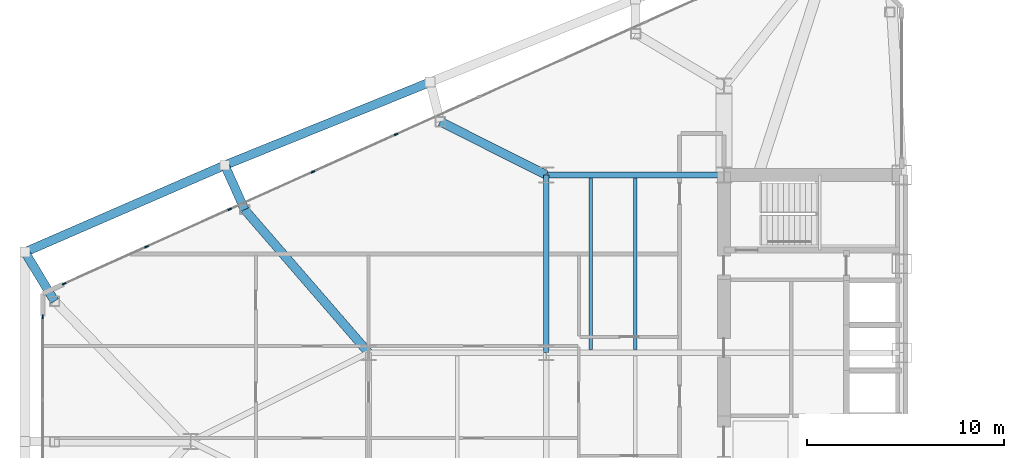
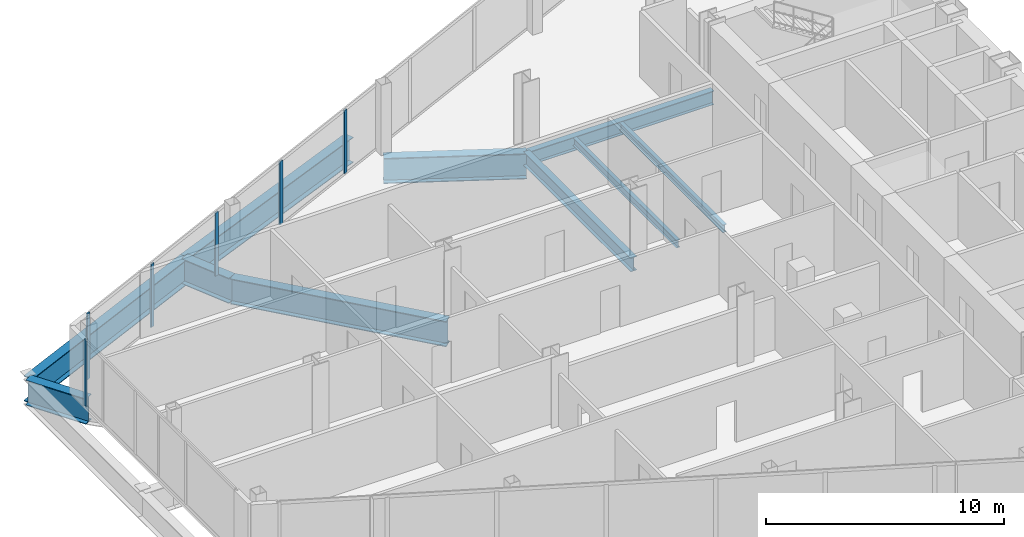
# One storey, part 8 of 29: 10 beams, 6 members, 2 elements without a shape of their own.
"""IFC4 building model written with IfcOpenShell, lengths in metres."""

from ifc_helpers import new_model, si_unit, direction, frame, origin, origin_2d, place, context, subcontext, project, spatial, rectangle, i_section, extrude, source, transform, mapped, material, layer, layer_set, material_profile, profile_set, type_object, type_shapes, element, aggregate, save


model = new_model("IFC4")

# Units and contexts
model_context = context("Model", 3, precision=1e-05, world=origin(), true_north=direction((0.0, 1.0)))
body_context = subcontext(model_context, "Body", "Model", "MODEL_VIEW")
ifc_project = project(units=[si_unit("LENGTHUNIT", "METRE"), si_unit("AREAUNIT", "SQUARE_METRE"), si_unit("VOLUMEUNIT", "CUBIC_METRE"), si_unit("PLANEANGLEUNIT", "RADIAN"), si_unit("MASSUNIT", "GRAM", prefix="KILO")], contexts=[model_context])

# Site, building, storey
site_placement = place(None, origin())
site = spatial("IfcSite", under=ifc_project, at=site_placement, CompositionType="ELEMENT")
building_placement = place(site_placement, origin())
building = spatial("IfcBuilding", under=site, at=building_placement, Name="Seokmaru Belvedere", CompositionType="ELEMENT")
storey_placement = place(building_placement, frame((0.0, 0.0, 62.10009765625)))
storey = spatial("IfcBuildingStorey", under=building, at=storey_placement, Name="L16", CompositionType="ELEMENT", Elevation=62.10009765625)

# Beams
ifc_material_1 = material(Name="Steel SM355 (355 MPa)", Category="steel")
ifc_material_profile_1 = material_profile(ifc_material_1, i_section(OverallWidth=0.300048828125, OverallDepth=0.699951171875, WebThickness=0.012939453125, FlangeThickness=0.02392578125, at=origin_2d()), Name="H-700x300x13x24")
ifc_profile_set_1 = profile_set([ifc_material_profile_1], Name="Steel SM355 (355 MPa)")
beam_type_1 = type_object("IfcBeamType", Name="Primary Floor Girder H-700", PredefinedType="BEAM", material=ifc_profile_set_1)
shared_shape_1 = source(origin(), body_context, "Body", "SweptSolid", [
    extrude(i_section(OverallWidth=0.300048828125, OverallDepth=0.699951171875, WebThickness=0.012939453125, FlangeThickness=0.02392578125, at=origin_2d()), origin(), (0.0, 0.0, 1.0), 9.0),
])
type_shapes(beam_type_1, [shared_shape_1])
for number, where, z_axis, x_axis, name in (
    (1, (-45.5, 4.5, -0.570068359375), (0.0, 1.0, 0.0), (-1.0, 0.0, 0.0), "L16 W Interior Grid Girder 3"),
    (2, (-45.5, 13.5, -0.570068359375), (1.0, 0.0, 0.0), (0.0, 1.0, 0.0), "L16 W Wing Primary Girder 4"),
):
    element("IfcBeam", number, at=place(storey_placement, frame(where, z_axis=z_axis, x_axis=x_axis)), inside=storey, type_object=beam_type_1, Name=name, PredefinedType="BEAM", context=body_context, shape_type="MappedRepresentation", body=[
        mapped(shared_shape_1, transform((0.0, 0.0, 0.0), scale=1.0)),
    ])
ifc_material_profile_2 = material_profile(ifc_material_1, i_section(OverallWidth=0.18505859375, OverallDepth=0.389892578125, WebThickness=0.008056640625, FlangeThickness=0.011962890625, at=origin_2d()), Name="H-390x185x8x12")
ifc_profile_set_2 = profile_set([ifc_material_profile_2], Name="Steel SM355 (355 MPa)")
beam_type_2 = type_object("IfcBeamType", Name="Secondary Floor Joist H-350", PredefinedType="JOIST", material=ifc_profile_set_2)
shared_shape_2 = source(origin(), body_context, "Body", "SweptSolid", [
    extrude(i_section(OverallWidth=0.18505859375, OverallDepth=0.389892578125, WebThickness=0.008056640625, FlangeThickness=0.011962890625, at=origin_2d()), origin(), (0.0, 0.0, 1.0), 8.68994140625),
])
type_shapes(beam_type_2, [shared_shape_2])
for number, where, z_axis, x_axis, name in (
    (3, (-43.25, 4.655029296875, -0.4150390625), (0.0, 1.0, 0.0), (-1.0, 0.0, 0.0), "L16 W Wing Inner Secondary Joist 2"),
    (4, (-41.0, 4.655029296875, -0.4150390625), (0.0, 1.0, 0.0), (-1.0, 0.0, 0.0), "L16 W Secondary Floor Joist 3"),
):
    element("IfcBeam", number, at=place(storey_placement, frame(where, z_axis=z_axis, x_axis=x_axis)), inside=storey, type_object=beam_type_2, Name=name, PredefinedType="JOIST", context=body_context, shape_type="MappedRepresentation", body=[
        mapped(shared_shape_2, transform((0.0, 0.0, 0.0), scale=1.0)),
    ])
ifc_material_2 = material(Name="Steel HSA650 (650 MPa)", Category="steel")
ifc_material_profile_3 = material_profile(ifc_material_2, i_section(OverallWidth=0.449951171875, OverallDepth=1.300048828125, WebThickness=0.02197265625, FlangeThickness=0.0380859375, at=origin_2d()), Name="BH-1300x450x22x38")
ifc_profile_set_3 = profile_set([ifc_material_profile_3], Name="Steel HSA650 (650 MPa)")
beam_type_3 = type_object("IfcBeamType", Name="Observatory Long-Span Roof Girder BH-1300", PredefinedType="BEAM", material=ifc_profile_set_3)
shared_shape_3 = source(origin(), body_context, "Body", "SweptSolid", [
    extrude(i_section(OverallWidth=0.449951171875, OverallDepth=1.300048828125, WebThickness=0.02197265625, FlangeThickness=0.0380859375, at=origin_2d()), origin(), (0.0, 0.0, 1.0), 11.220703125),
])
beam_1_placement = place(storey_placement, frame((-51.378173828125, 18.2041015625, -0.8701171875), z_axis=(-0.926944290816, -0.375198989503, 0.0), x_axis=(0.375198989503, -0.926944290816, 0.0)))
element("IfcBeam", 5, at=beam_1_placement, inside=storey, type_object=beam_type_3, Name="L16 W Faceted Flank Spandrel N-3", PredefinedType="BEAM", context=body_context, shape_type="MappedRepresentation", body=[
    mapped(shared_shape_3, transform((0.0, 0.0, 0.0), scale=1.0)),
])
shared_shape_4 = source(origin(), body_context, "Body", "SweptSolid", [
    extrude(i_section(OverallWidth=0.449951171875, OverallDepth=1.300048828125, WebThickness=0.02197265625, FlangeThickness=0.0380859375, at=origin_2d()), origin(), (0.0, 0.0, 1.0), 11.035400390625),
])
beam_2_placement = place(storey_placement, frame((-61.779052734375, 13.994140625, -0.8701171875), z_axis=(-0.917134058682, -0.398578873507, 0.0), x_axis=(0.398578873507, -0.917134058682, 0.0)))
element("IfcBeam", 6, at=beam_2_placement, inside=storey, type_object=beam_type_3, Name="L16 W Faceted Flank Spandrel N-4", PredefinedType="BEAM", context=body_context, shape_type="MappedRepresentation", body=[
    mapped(shared_shape_4, transform((0.0, 0.0, 0.0), scale=1.0)),
])
shared_shape_5 = source(origin(), body_context, "Body", "SweptSolid", [
    extrude(i_section(OverallWidth=0.449951171875, OverallDepth=1.300048828125, WebThickness=0.02197265625, FlangeThickness=0.0380859375, at=origin_2d()), origin(), (0.0, 0.0, 1.0), 2.9013671875),
])
beam_3_placement = place(storey_placement, frame((-71.89990234375, 9.595703125, -0.8701171875), z_axis=(0.516980789056, -0.855996999847, 0.0), x_axis=(0.855996999847, 0.516980789056, 0.0)))
element("IfcBeam", 7, at=beam_3_placement, inside=storey, type_object=beam_type_3, Name="L16 W Setback Transfer Girder 4", PredefinedType="BEAM", context=body_context, shape_type="MappedRepresentation", body=[
    mapped(shared_shape_5, transform((0.0, 0.0, 0.0), scale=1.0)),
])
shared_shape_6 = source(origin(), body_context, "Body", "SweptSolid", [
    extrude(i_section(OverallWidth=0.449951171875, OverallDepth=1.300048828125, WebThickness=0.02197265625, FlangeThickness=0.0380859375, at=origin_2d()), origin(), (0.0, 0.0, 1.0), 6.017333984375),
])
beam_4_placement = place(storey_placement, frame((-50.875, 16.205322265625, -0.8701171875), z_axis=(0.893239341975, -0.449581447512, 0.0), x_axis=(0.449581447512, 0.893239341975, 0.0)))
element("IfcBeam", 8, at=beam_4_placement, inside=storey, type_object=beam_type_3, Name="L16 W Flank Setback Back-Span Girder N-2", PredefinedType="BEAM", context=body_context, shape_type="MappedRepresentation", body=[
    mapped(shared_shape_6, transform((0.0, 0.0, 0.0), scale=1.0)),
])
shared_shape_7 = source(origin(), body_context, "Body", "SweptSolid", [
    extrude(i_section(OverallWidth=0.449951171875, OverallDepth=1.300048828125, WebThickness=0.02197265625, FlangeThickness=0.0380859375, at=origin_2d()), origin(), (0.0, 0.0, 1.0), 2.4580078125),
])
beam_5_placement = place(storey_placement, frame((-61.779052734375, 13.994140625, -0.8701171875), z_axis=(0.407409775642, -0.913245462464, 0.0), x_axis=(0.913245462464, 0.407409775642, 0.0)))
element("IfcBeam", 9, at=beam_5_placement, inside=storey, type_object=beam_type_3, Name="L16 W Flank Setback Step Girder N-3", PredefinedType="BEAM", context=body_context, shape_type="MappedRepresentation", body=[
    mapped(shared_shape_7, transform((0.0, 0.0, 0.0), scale=1.0)),
])
shared_shape_8 = source(origin(), body_context, "Body", "SweptSolid", [
    extrude(i_section(OverallWidth=0.449951171875, OverallDepth=1.300048828125, WebThickness=0.02197265625, FlangeThickness=0.0380859375, at=origin_2d()), origin(), (0.0, 0.0, 1.0), 9.589599609375),
])
type_shapes(beam_type_3, [shared_shape_3, shared_shape_4, shared_shape_5, shared_shape_6, shared_shape_7, shared_shape_8])
beam_6_placement = place(storey_placement, frame((-60.777587890625, 11.749267578125, -0.8701171875), z_axis=(0.654626140929, -0.755952786629, 0.0), x_axis=(0.755952786629, 0.654626140929, 0.0)))
element("IfcBeam", 10, at=beam_6_placement, inside=storey, type_object=beam_type_3, Name="L16 W Flank Setback Back-Span Girder N-3", PredefinedType="BEAM", context=body_context, shape_type="MappedRepresentation", body=[
    mapped(shared_shape_8, transform((0.0, 0.0, 0.0), scale=1.0)),
])

# Curtain wall, member
ifc_material_3 = material(Name="Bronze Triple Insulating Glass", Category="glass")
ifc_layer = layer(ifc_material_3, 0.195068359375)
ifc_layer_set = layer_set([ifc_layer], Name="Bronze Triple Insulating Glass")
curtain_wall_type = type_object("IfcCurtainWallType", Name="Lower-Mid Tapered Curtain Wall System CW-3", PredefinedType="NOTDEFINED", material=ifc_layer_set)
curtain_wall_1_placement = place(storey_placement, origin())
curtain_wall_1 = element("IfcCurtainWall", 11, at=curtain_wall_1_placement, inside=storey, type_object=curtain_wall_type, Name="L16 Curtain Wall WF3", PredefinedType="NOTDEFINED")
ifc_material_4 = material(Name="Anodised Bronze Aluminium", Category="aluminium")
ifc_material_profile_4 = material_profile(ifc_material_4, rectangle(XDim=0.070068359375, YDim=0.195068359375, at=origin_2d()), Name="CW-M-70x195")
ifc_profile_set_4 = profile_set([ifc_material_profile_4], Name="Anodised Bronze Aluminium")
member_type = type_object("IfcMemberType", Name="Bronze Unitised Mullion 70x195", PredefinedType="MULLION", material=ifc_profile_set_4)
shared_shape_9 = source(origin(), body_context, "Body", "SweptSolid", [
    extrude(rectangle(XDim=0.070068359375, YDim=0.195068359375, at=origin_2d()), origin(), (0.0, 0.0, 1.0), 3.3798828125),
])
member_1_placement = place(storey_placement, frame((-69.91943359375, 7.986328125, 0.0), z_axis=(0.0, 0.0, 1.0), x_axis=(0.41036554765, -0.91192111353, 0.0)))
member_1 = element("IfcMember", 12, at=member_1_placement, type_object=member_type, Name="CW:L16:WF3 Mullion 10", PredefinedType="MULLION", context=body_context, shape_type="MappedRepresentation", body=[
    mapped(shared_shape_9, transform((0.0, 0.0, 0.0), scale=1.0)),
])

curtain_wall_2_placement = place(storey_placement, origin())
curtain_wall_2 = element("IfcCurtainWall", 13, at=curtain_wall_2_placement, inside=storey, type_object=curtain_wall_type, Name="L16 Curtain Wall WF4", PredefinedType="NOTDEFINED")
member_2_placement = place(storey_placement, frame((-71.0, 6.31494140625, 0.0), z_axis=(0.0, 0.0, 1.0), x_axis=(1.0, 0.0, 0.0)))
member_2 = element("IfcMember", 14, at=member_2_placement, type_object=member_type, Name="CW:L16:WF4 Mullion 1", PredefinedType="MULLION", context=body_context, shape_type="MappedRepresentation", body=[
    mapped(shared_shape_9, transform((0.0, 0.0, 0.0), scale=1.0)),
])
aggregate(curtain_wall_2, [member_2])

# Member
shared_shape_10 = source(origin(), body_context, "Body", "SweptSolid", [
    extrude(rectangle(XDim=0.070068359375, YDim=0.195068359375, at=origin_2d()), origin(), (0.0, 0.0, 1.0), 3.239990234375),
])
type_shapes(member_type, [shared_shape_9, shared_shape_10])
member_3_placement = place(storey_placement, frame((-53.105712890625, 15.552490234375, 0.06982421875), z_axis=(0.0, 0.0, 1.0), x_axis=(0.41036554765, -0.91192111353, 0.0)))
member_3 = element("IfcMember", 15, at=member_3_placement, type_object=member_type, Name="CW:L16:WF3 Mullion 6", PredefinedType="MULLION", context=body_context, shape_type="MappedRepresentation", body=[
    mapped(shared_shape_10, transform((0.0, 0.0, 0.0), scale=1.0)),
])

member_4_placement = place(storey_placement, frame((-57.317138671875, 13.6572265625, 0.06982421875), z_axis=(0.0, 0.0, 1.0), x_axis=(0.41036554765, -0.91192111353, 0.0)))
member_4 = element("IfcMember", 16, at=member_4_placement, type_object=member_type, Name="CW:L16:WF3 Mullion 7", PredefinedType="MULLION", context=body_context, shape_type="MappedRepresentation", body=[
    mapped(shared_shape_10, transform((0.0, 0.0, 0.0), scale=1.0)),
])

member_5_placement = place(storey_placement, frame((-61.528564453125, 11.76220703125, 0.06982421875), z_axis=(0.0, 0.0, 1.0), x_axis=(0.41036554765, -0.91192111353, 0.0)))
member_5 = element("IfcMember", 17, at=member_5_placement, type_object=member_type, Name="CW:L16:WF3 Mullion 8", PredefinedType="MULLION", context=body_context, shape_type="MappedRepresentation", body=[
    mapped(shared_shape_10, transform((0.0, 0.0, 0.0), scale=1.0)),
])

member_6_placement = place(storey_placement, frame((-65.739990234375, 9.866943359375, 0.06982421875), z_axis=(0.0, 0.0, 1.0), x_axis=(0.41036554765, -0.91192111353, 0.0)))
member_6 = element("IfcMember", 18, at=member_6_placement, type_object=member_type, Name="CW:L16:WF3 Mullion 9", PredefinedType="MULLION", context=body_context, shape_type="MappedRepresentation", body=[
    mapped(shared_shape_10, transform((0.0, 0.0, 0.0), scale=1.0)),
])

aggregate(curtain_wall_1, [member_3, member_4, member_5, member_6, member_1])

save(model, "model.ifc")
